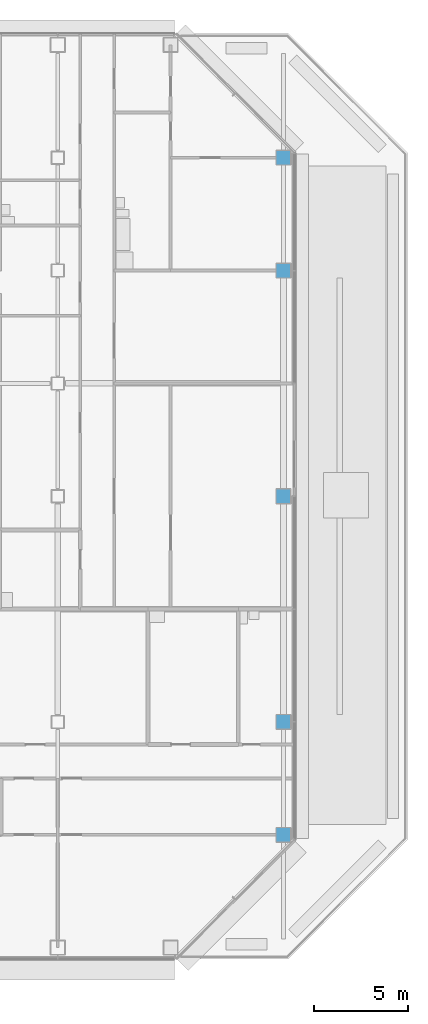
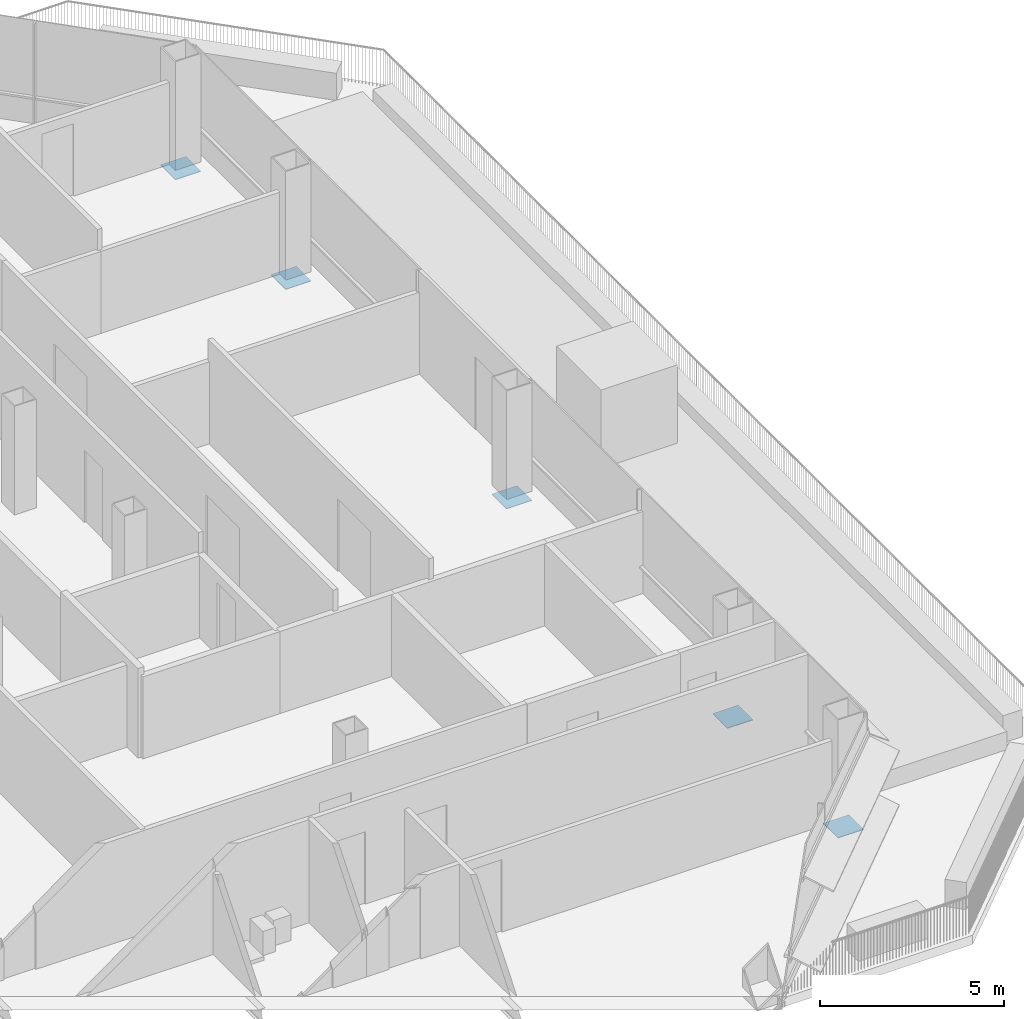
# One storey, part 24 of 28: 5 discrete accessories.
"""IFC4 building model written with IfcOpenShell, lengths in metres."""

from ifc_helpers import new_model, si_unit, direction, frame, origin, origin_2d, place, context, subcontext, project, spatial, rectangle, extrude, material, layer, layer_set, type_object, element, save


model = new_model("IFC4")

# Units and contexts
model_context = context("Model", 3, precision=1e-05, world=origin(), true_north=direction((0.0, 1.0)))
body_context = subcontext(model_context, "Body", "Model", "MODEL_VIEW")
ifc_project = project(units=[si_unit("LENGTHUNIT", "METRE"), si_unit("AREAUNIT", "SQUARE_METRE"), si_unit("VOLUMEUNIT", "CUBIC_METRE"), si_unit("PLANEANGLEUNIT", "RADIAN"), si_unit("MASSUNIT", "GRAM", prefix="KILO")], contexts=[model_context])

# Site, building, storey
site_placement = place(None, origin())
site = spatial("IfcSite", under=ifc_project, at=site_placement, CompositionType="ELEMENT")
building_placement = place(site_placement, origin())
building = spatial("IfcBuilding", under=site, at=building_placement, Name="Sorahane Residences", CompositionType="ELEMENT")
storey_placement = place(building_placement, frame((0.0, 0.0, 96.199951171875)))
storey = spatial("IfcBuildingStorey", under=building, at=storey_placement, Name="L20", CompositionType="ELEMENT", Elevation=96.199951171875)

# Discrete accessories
ifc_material = material(Name="Steel Q355B", Category="steel")
ifc_layer = layer(ifc_material, 0.02001953125)
ifc_layer_set = layer_set([ifc_layer], Name="End plate Steel Q355B 800x800x20")
discrete_accessory_type = type_object("IfcDiscreteAccessoryType", Name="End plate Steel Q355B 800x800x20", PredefinedType="USERDEFINED", material=ifc_layer_set)
for number, where, z_axis, x_axis, name in (
    (1, (60.0, 12.0, -0.320068359375), (0.0, 0.0, 1.0), (1.0, 0.0, 0.0), "End plate L20"),
    (2, (60.0, 24.0, -0.320068359375), (0.0, 0.0, 1.0), (1.0, 0.0, 0.0), "End plate L20"),
    (3, (60.0, 36.0, -0.320068359375), (0.0, 0.0, 1.0), (1.0, 0.0, 0.0), "End plate L20"),
    (4, (60.0, 42.0, -0.320068359375), (0.0, 0.0, 1.0), (1.0, 0.0, 0.0), "End plate L20"),
    (5, (60.0, 6.0, -0.320068359375), (0.0, 0.0, 1.0), (1.0, 0.0, 0.0), "End plate L20"),
):
    element("IfcDiscreteAccessory", number, at=place(storey_placement, frame(where, z_axis=z_axis, x_axis=x_axis)), inside=storey, type_object=discrete_accessory_type, Name=name, ObjectType="END PLATE", PredefinedType="USERDEFINED", context=body_context, shape_type="SweptSolid", body=[
        extrude(rectangle(XDim=0.800048828125, YDim=0.800048828125, at=origin_2d()), origin(), (0.0, 0.0, 1.0), 0.02001953125),
    ])

save(model, "model.ifc")
